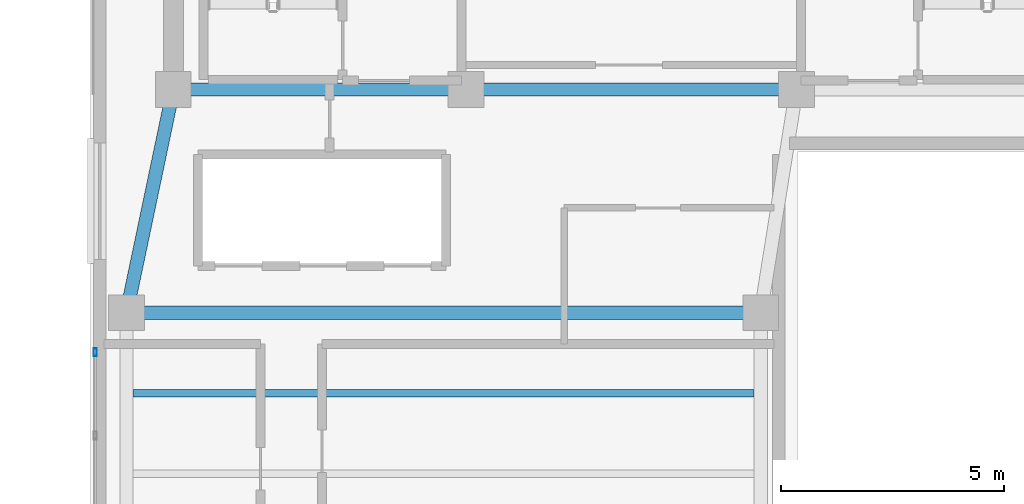
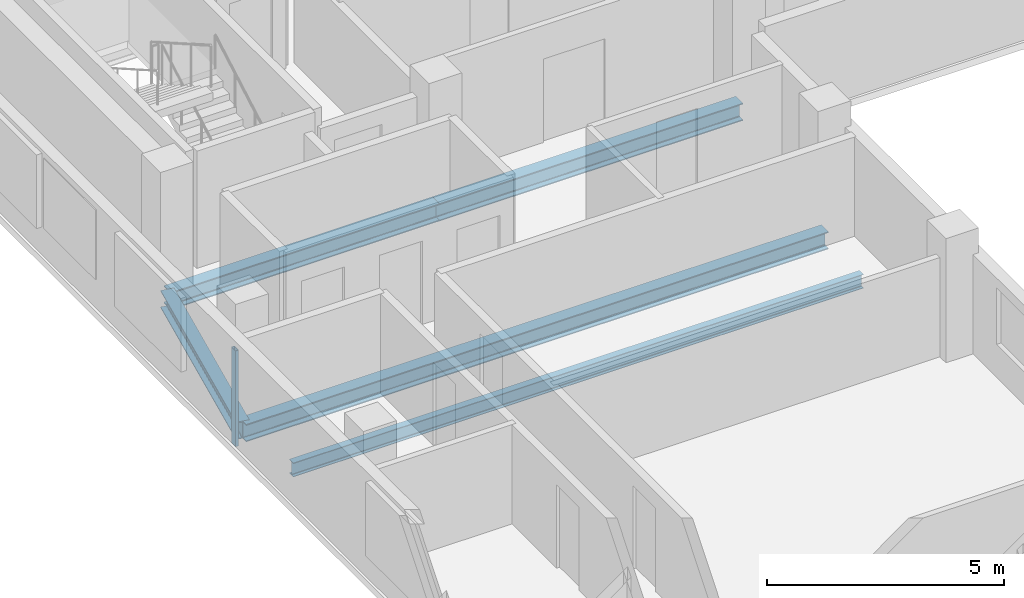
# One storey, part 6 of 11: 5 beams, 1 member, 1 element without a shape of its own.
"""IFC4 building model written with IfcOpenShell, lengths in metres."""

from ifc_helpers import new_model, si_unit, direction, frame, origin, origin_2d, place, context, subcontext, project, spatial, hollow_rectangle, i_section, extrude, material, material_profile, profile_set, type_object, element, aggregate, save


model = new_model("IFC4")

# Units and contexts
model_context = context("Model", 3, precision=1e-05, world=origin(), true_north=direction((0.0, 1.0)))
body_context = subcontext(model_context, "Body", "Model", "MODEL_VIEW")
ifc_project = project(units=[si_unit("LENGTHUNIT", "METRE"), si_unit("AREAUNIT", "SQUARE_METRE"), si_unit("VOLUMEUNIT", "CUBIC_METRE"), si_unit("PLANEANGLEUNIT", "RADIAN"), si_unit("MASSUNIT", "GRAM", prefix="KILO")], contexts=[model_context])

# Site, building, storey
site_placement = place(None, origin())
site = spatial("IfcSite", under=ifc_project, at=site_placement, CompositionType="ELEMENT")
building_placement = place(site_placement, origin())
building = spatial("IfcBuilding", under=site, at=building_placement, Name="Kuzgunbayir Cultural Tower", CompositionType="ELEMENT")
storey_placement = place(building_placement, frame((0.0, 0.0, 244.0)))
storey = spatial("IfcBuildingStorey", under=building, at=storey_placement, Name="L72", CompositionType="ELEMENT", Elevation=244.0)

# Beams
ifc_material_1 = material(Name="Steel S355J2", Category="steel")
ifc_material_profile_1 = material_profile(ifc_material_1, i_section(OverallWidth=0.300048828125, OverallDepth=0.449951171875, WebThickness=0.013916015625, FlangeThickness=0.02587890625, FilletRadius=0.027099609375, at=origin_2d()), Name="HEB 450")
ifc_profile_set_1 = profile_set([ifc_material_profile_1], Name="Steel S355J2")
beam_type_1 = type_object("IfcBeamType", Name="BM-GIR-HEB450", PredefinedType="BEAM", material=ifc_profile_set_1)
beam_1_placement = place(storey_placement, frame((6.449951171875, 33.800048828125, -0.409912109375), z_axis=(1.0, 0.0, 0.0), x_axis=(0.0, 1.0, 0.0)))
element("IfcBeam", 1, at=beam_1_placement, inside=storey, type_object=beam_type_1, Name="L72 Core South Girder 1", PredefinedType="BEAM", context=body_context, shape_type="SweptSolid", body=[
    extrude(i_section(OverallWidth=0.300048828125, OverallDepth=0.449951171875, WebThickness=0.013916015625, FlangeThickness=0.02587890625, FilletRadius=0.027099609375, at=origin_2d()), origin(), (0.0, 0.0, 1.0), 6.550048828125),
])
beam_2_placement = place(storey_placement, frame((13.0, 33.800048828125, -0.409912109375), z_axis=(1.0, 0.0, 0.0), x_axis=(0.0, 1.0, 0.0)))
element("IfcBeam", 2, at=beam_2_placement, inside=storey, type_object=beam_type_1, Name="L72 Core South Girder 2", PredefinedType="BEAM", context=body_context, shape_type="SweptSolid", body=[
    extrude(i_section(OverallWidth=0.300048828125, OverallDepth=0.449951171875, WebThickness=0.013916015625, FlangeThickness=0.02587890625, FilletRadius=0.027099609375, at=origin_2d()), origin(), (0.0, 0.0, 1.0), 7.39990234375),
])
beam_3_placement = place(storey_placement, frame((5.39990234375, 28.800048828125, -0.409912109375), z_axis=(1.0, 0.0, 0.0), x_axis=(0.0, 1.0, 0.0)))
element("IfcBeam", 3, at=beam_3_placement, inside=storey, type_object=beam_type_1, Name="L72 Wing A Transverse Girder 4", PredefinedType="BEAM", context=body_context, shape_type="SweptSolid", body=[
    extrude(i_section(OverallWidth=0.300048828125, OverallDepth=0.449951171875, WebThickness=0.013916015625, FlangeThickness=0.02587890625, FilletRadius=0.027099609375, at=origin_2d()), origin(), (0.0, 0.0, 1.0), 14.2001953125),
])
beam_4_placement = place(storey_placement, frame((5.39990234375, 28.800048828125, -0.409912109375), z_axis=(0.205526387753, 0.978651574329, 0.0), x_axis=(-0.978651574329, 0.205526387753, 0.0)))
element("IfcBeam", 4, at=beam_4_placement, inside=storey, type_object=beam_type_1, Name="L72 Wing A West Core Floor Girder", PredefinedType="BEAM", context=body_context, shape_type="SweptSolid", body=[
    extrude(i_section(OverallWidth=0.300048828125, OverallDepth=0.449951171875, WebThickness=0.013916015625, FlangeThickness=0.02587890625, FilletRadius=0.027099609375, at=origin_2d()), origin(), (0.0, 0.0, 1.0), 5.109130859375),
])
ifc_material_profile_2 = material_profile(ifc_material_1, i_section(OverallWidth=0.169921875, OverallDepth=0.360107421875, WebThickness=0.008056640625, FlangeThickness=0.0126953125, FilletRadius=0.01806640625, at=origin_2d()), Name="IPE 360")
ifc_profile_set_2 = profile_set([ifc_material_profile_2], Name="Steel S355J2")
beam_type_2 = type_object("IfcBeamType", Name="BM-JST-IPE360", PredefinedType="JOIST", material=ifc_profile_set_2)
beam_5_placement = place(storey_placement, frame((5.550048828125, 27.0, -0.360107421875), z_axis=(1.0, 0.0, 0.0), x_axis=(0.0, 1.0, 0.0)))
element("IfcBeam", 5, at=beam_5_placement, inside=storey, type_object=beam_type_2, Name="L72 Wing A Secondary Joist 6", PredefinedType="JOIST", context=body_context, shape_type="SweptSolid", body=[
    extrude(i_section(OverallWidth=0.169921875, OverallDepth=0.360107421875, WebThickness=0.008056640625, FlangeThickness=0.0126953125, FilletRadius=0.01806640625, at=origin_2d()), origin(), (0.0, 0.0, 1.0), 13.89990234375),
])

# Curtain wall, member
ifc_material_2 = material(Name="Anodised Aluminium Framing", Category="aluminium")
curtain_wall_type = type_object("IfcCurtainWallType", Name="CW06-OBSERVATORY", PredefinedType="NOTDEFINED", material=ifc_material_2)
curtain_wall_placement = place(storey_placement, origin())
curtain_wall = element("IfcCurtainWall", 6, at=curtain_wall_placement, inside=storey, type_object=curtain_wall_type, Name="L72 Crown Observatory West Curtain Wall", PredefinedType="NOTDEFINED")
ifc_material_profile_3 = material_profile(ifc_material_2, hollow_rectangle(XDim=0.074951171875, YDim=0.179931640625, WallThickness=0.0048828125, at=origin_2d()), Name="RHS 180x75x5")
ifc_profile_set_3 = profile_set([ifc_material_profile_3], Name="Anodised Aluminium Framing")
member_type = type_object("IfcMemberType", Name="MEM-CW-MULLION-180", PredefinedType="MULLION", material=ifc_profile_set_3)
member_placement = place(storey_placement, frame((4.699951171875, 27.91259765625, 0.0), z_axis=(0.0, 0.0, 1.0), x_axis=(-1.0, 0.0, 0.0)))
member = element("IfcMember", 7, at=member_placement, type_object=member_type, Name="CW06 mullion 3", PredefinedType="MULLION", context=body_context, shape_type="SweptSolid", body=[
    extrude(hollow_rectangle(XDim=0.074951171875, YDim=0.179931640625, WallThickness=0.0048828125, at=origin_2d()), origin(), (0.0, 0.0, 1.0), 2.469970703125),
])
aggregate(curtain_wall, [member])

save(model, "model.ifc")
